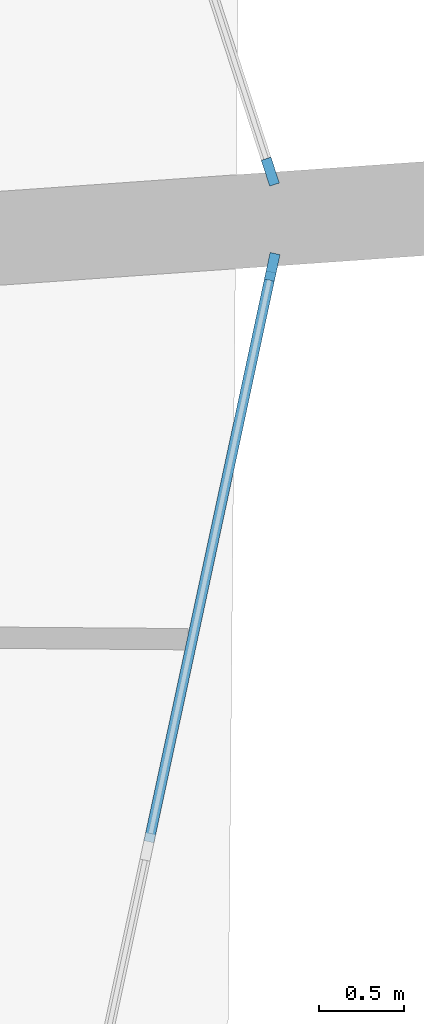
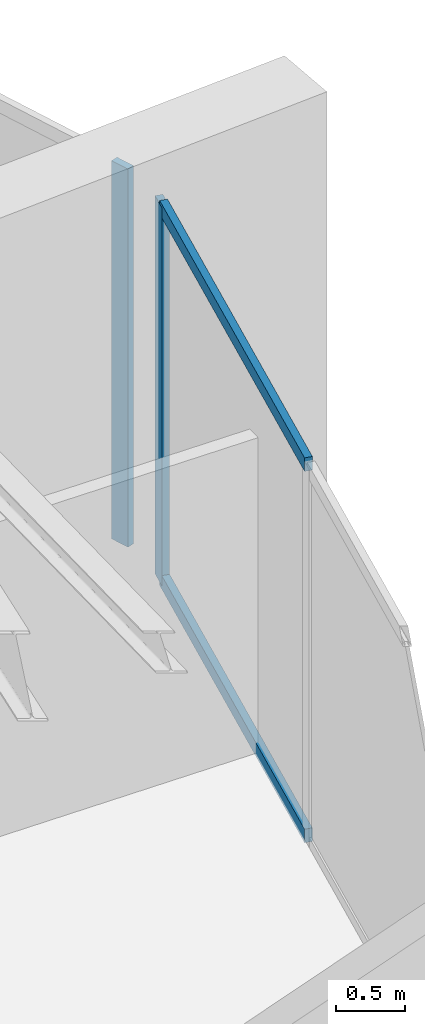
# One storey, part 17 of 31: 4 members, 2 elements without a shape of their own.
"""IFC4 building model written with IfcOpenShell, lengths in metres."""

from ifc_helpers import new_model, si_unit, direction, frame, origin, origin_2d, place, context, subcontext, project, spatial, rectangle, extrude, material, layer, layer_set, material_profile, profile_set, type_object, element, aggregate, save


model = new_model("IFC4")

# Units and contexts
model_context = context("Model", 3, precision=1e-05, world=origin(), true_north=direction((0.0, 1.0)))
body_context = subcontext(model_context, "Body", "Model", "MODEL_VIEW")
ifc_project = project(units=[si_unit("LENGTHUNIT", "METRE"), si_unit("AREAUNIT", "SQUARE_METRE"), si_unit("VOLUMEUNIT", "CUBIC_METRE"), si_unit("PLANEANGLEUNIT", "RADIAN"), si_unit("MASSUNIT", "GRAM", prefix="KILO")], contexts=[model_context])

# Site, building, storey
site_placement = place(None, origin())
site = spatial("IfcSite", under=ifc_project, at=site_placement, CompositionType="ELEMENT")
building_placement = place(site_placement, origin())
building = spatial("IfcBuilding", under=site, at=building_placement, Name="Kazma Halo Residences", CompositionType="ELEMENT")
storey_placement = place(building_placement, frame((0.0, 0.0, 67.64990234375)))
storey = spatial("IfcBuildingStorey", under=building, at=storey_placement, Name="L16", CompositionType="ELEMENT", Elevation=67.64990234375)

# Curtain wall, member
ifc_material_1 = material(Name="Aluminium AW-6063 T6 and Triple-Silver Low-E Glass", Category="aluminium")
ifc_layer = layer(ifc_material_1, 0.159912109375)
ifc_layer_set = layer_set([ifc_layer], Name="Aluminium AW-6063 T6 and Triple-Silver Low-E Glass")
curtain_wall_type = type_object("IfcCurtainWallType", Name="CW-SYS-2", PredefinedType="NOTDEFINED", material=ifc_layer_set)
curtain_wall_1_placement = place(storey_placement, origin())
curtain_wall_1 = element("IfcCurtainWall", 1, at=curtain_wall_1_placement, inside=storey, type_object=curtain_wall_type, Name="L16 unitised curtain wall B15", PredefinedType="NOTDEFINED")
ifc_material_2 = material(Name="Aluminium AW-6063 T6", Category="aluminium")
ifc_material_profile_1 = material_profile(ifc_material_2, rectangle(XDim=0.06005859375, YDim=0.159912109375, at=origin_2d()), Name="CWM-60x160")
ifc_profile_set_1 = profile_set([ifc_material_profile_1], Name="Aluminium AW-6063 T6")
member_type_1 = type_object("IfcMemberType", Name="CW-SYS-2-MUL", PredefinedType="MULLION", material=ifc_profile_set_1)
member_1_placement = place(storey_placement, frame((79.74951171875, 43.940673828125, 0.0), z_axis=(0.0, 0.0, 1.0), x_axis=(-0.977779215096, 0.209637321406, 0.0)))
member_1 = element("IfcMember", 2, at=member_1_placement, type_object=member_type_1, Name="CWS-2 mullion 4", PredefinedType="MULLION", context=body_context, shape_type="SweptSolid", body=[
    extrude(rectangle(XDim=0.06005859375, YDim=0.159912109375, at=origin_2d()), origin(), (0.0, 0.0, 1.0), 3.35009765625),
])

curtain_wall_2_placement = place(storey_placement, origin())
curtain_wall_2 = element("IfcCurtainWall", 3, at=curtain_wall_2_placement, inside=storey, type_object=curtain_wall_type, Name="L16 unitised curtain wall B16", PredefinedType="NOTDEFINED")
member_2_placement = place(storey_placement, frame((79.73828125, 44.499267578125, 0.0), z_axis=(0.0, 0.0, 1.0), x_axis=(-0.95105652404, -0.309016970539, 0.0)))
member_2 = element("IfcMember", 4, at=member_2_placement, type_object=member_type_1, Name="CWS-2 mullion 1", PredefinedType="MULLION", context=body_context, shape_type="SweptSolid", body=[
    extrude(rectangle(XDim=0.06005859375, YDim=0.159912109375, at=origin_2d()), origin(), (0.0, 0.0, 1.0), 3.35009765625),
])
aggregate(curtain_wall_2, [member_2])

# Member
ifc_material_profile_2 = material_profile(ifc_material_2, rectangle(XDim=0.06005859375, YDim=0.1201171875, at=origin_2d()), Name="CWT-60x120")
ifc_profile_set_2 = profile_set([ifc_material_profile_2], Name="Aluminium AW-6063 T6")
member_type_2 = type_object("IfcMemberType", Name="CW-SYS-2-TRN", PredefinedType="USERDEFINED", material=ifc_profile_set_2)
member_3_placement = place(storey_placement, frame((79.025634765625, 40.565185546875, 0.030029296875), z_axis=(0.209665500897, 0.977773172946, 0.0), x_axis=(-0.977773172946, 0.209665500897, 0.0)))
member_3 = element("IfcMember", 5, at=member_3_placement, type_object=member_type_2, Name="CWS-2 transom 3.1", ObjectType="TRANSOM", PredefinedType="USERDEFINED", context=body_context, shape_type="SweptSolid", body=[
    extrude(rectangle(XDim=0.06005859375, YDim=0.1201171875, at=origin_2d()), origin(), (0.0, 0.0, 1.0), 3.42236328125),
])

member_4_placement = place(storey_placement, frame((79.025634765625, 40.565185546875, 3.320068359375), z_axis=(0.209665500897, 0.977773172946, 0.0), x_axis=(-0.977773172946, 0.209665500897, 0.0)))
member_4 = element("IfcMember", 6, at=member_4_placement, type_object=member_type_2, Name="CWS-2 transom 3.2", ObjectType="TRANSOM", PredefinedType="USERDEFINED", context=body_context, shape_type="SweptSolid", body=[
    extrude(rectangle(XDim=0.06005859375, YDim=0.1201171875, at=origin_2d()), origin(), (0.0, 0.0, 1.0), 3.42236328125),
])

aggregate(curtain_wall_1, [member_1, member_3, member_4])

save(model, "model.ifc")
